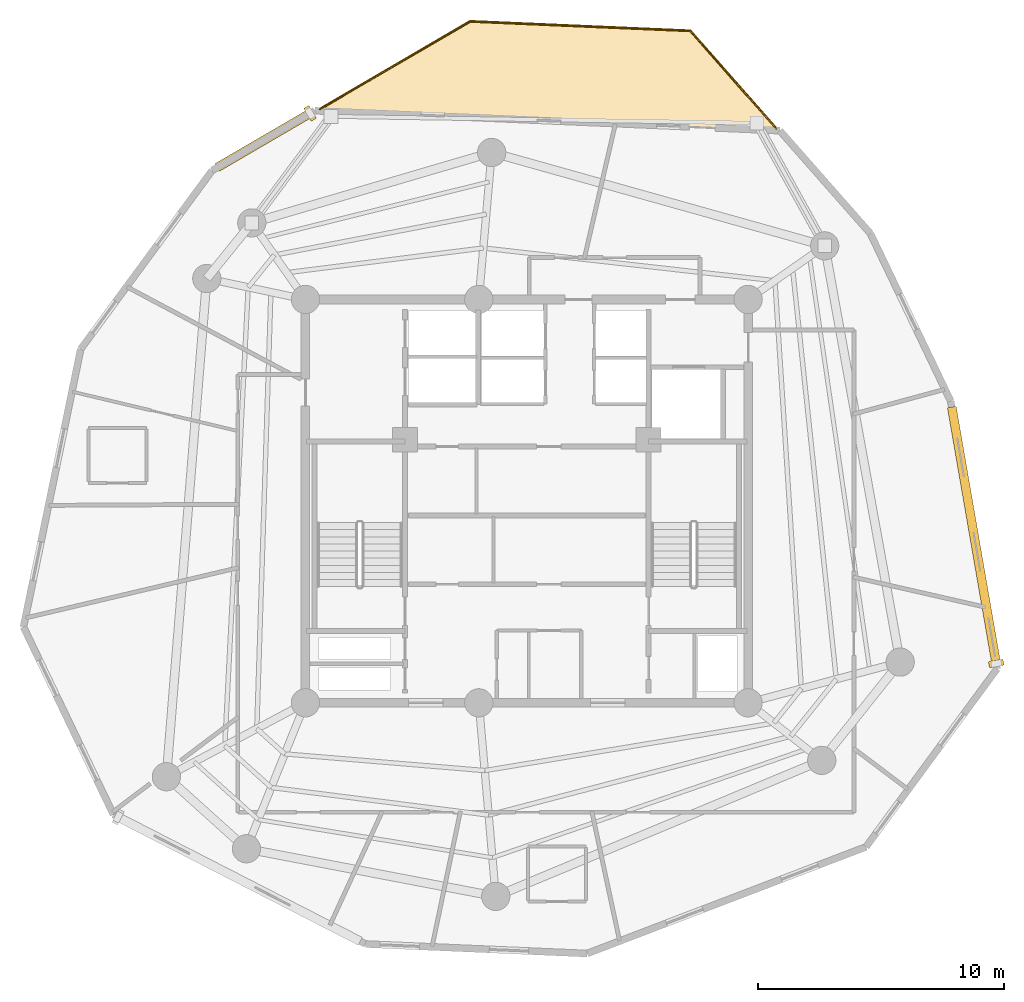
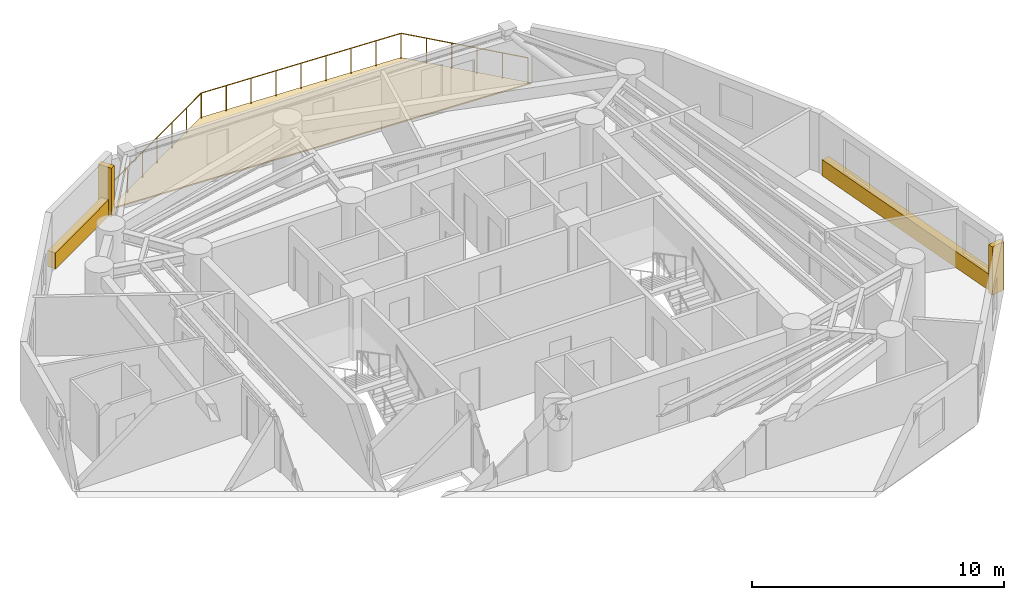
# One storey, part 8 of 8: 3 coverings, 3 railings, 2 shading devices.
"""IFC4 building model written with IfcOpenShell, lengths in metres."""

import ifcopenshell
import ifcopenshell.guid

model = None  # the IFC model being written
_history = None  # IfcOwnerHistory: only IFC2X3 demands one
_inside = {}  # id of a spatial element -> (the spatial element, [elements in it])
_under = {}  # id of a project, library or spatial element -> (it, [spatial elements below it])
_declared = {}  # id of a project -> (the project, [libraries it declares])
_typed = {}  # id of a type object -> (the type object, [elements of that type])
_made_of = {}  # id of a material, layer set ... -> (it, [elements and type objects made of it])


def new_model(schema):
    """Start an empty IFC model of exactly this schema.

    Asked for "IFC4X3", IfcOpenShell would pick the latest addendum, in which some entities
    have other attributes; the version numbers below select the first issue.
    IFC2X3 requires an IfcOwnerHistory on every rooted entity: one is made here for all.
    """
    global model, _history
    if schema == "IFC4X3":
        model = ifcopenshell.file(schema_version=(4, 3, 0, 0))
    else:
        model = ifcopenshell.file(schema=schema)
    _inside.clear()
    _under.clear()
    _declared.clear()
    _typed.clear()
    _made_of.clear()
    _history = None
    if model.schema == "IFC2X3":
        org = make("IfcOrganization", Name="unknown")
        user = make(
            "IfcPersonAndOrganization",
            ThePerson=make("IfcPerson", FamilyName="unknown"),
            TheOrganization=org,
        )
        app = make(
            "IfcApplication",
            ApplicationDeveloper=org,
            Version="unknown",
            ApplicationFullName="unknown",
            ApplicationIdentifier="unknown",
        )
        _history = make(
            "IfcOwnerHistory",
            OwningUser=user,
            OwningApplication=app,
            ChangeAction="ADDED",
            CreationDate=0,
        )
    return model


def make(cls, **values):
    """One entity of the class cls with the attributes given. An attribute that is None is left unset."""
    return model.create_entity(
        cls, **{name: value for name, value in values.items() if value is not None}
    )


def rooted(cls, **values):
    """An entity with a GlobalId (a new one), such as an element, a storey or a relation."""
    return make(cls, GlobalId=ifcopenshell.guid.new(), OwnerHistory=_history, **values)


def si_unit(unit_type, name, prefix=None):
    """IfcSIUnit, for example si_unit("LENGTHUNIT", "METRE", prefix="MILLI")."""
    return make("IfcSIUnit", UnitType=unit_type, Prefix=prefix, Name=name)


def assignment(units):
    """IfcUnitAssignment: the units of a project."""
    return None if units is None else make("IfcUnitAssignment", Units=units)


def point(xyz):
    """IfcCartesianPoint."""
    return None if xyz is None else make("IfcCartesianPoint", Coordinates=xyz)


def direction(xyz):
    """IfcDirection."""
    return None if xyz is None else make("IfcDirection", DirectionRatios=xyz)


def frame(location, z_axis=None, x_axis=None):
    """IfcAxis2Placement3D, a coordinate frame: its origin and axes. An axis left out is left unset."""
    return make(
        "IfcAxis2Placement3D",
        Location=point(location),
        Axis=direction(z_axis),
        RefDirection=direction(x_axis),
    )


def frame_2d(location, x_axis=None):
    """IfcAxis2Placement2D, a coordinate frame in the plane: its origin and x axis."""
    return make(
        "IfcAxis2Placement2D", Location=point(location), RefDirection=direction(x_axis)
    )


def origin():
    """The frame at (0, 0, 0) with its axes left unset."""
    return frame((0.0, 0.0, 0.0))


def origin_with_axes():
    """The frame at (0, 0, 0) with the z axis (0, 0, 1) and the x axis (1, 0, 0) written out."""
    return frame((0.0, 0.0, 0.0), z_axis=(0.0, 0.0, 1.0), x_axis=(1.0, 0.0, 0.0))


def origin_2d():
    """The frame at (0, 0) in the plane with its x axis left unset."""
    return frame_2d((0.0, 0.0))


def place(relative_to, where):
    """IfcLocalPlacement: puts the frame where relative to a parent placement (None: the world)."""
    return make(
        "IfcLocalPlacement", PlacementRelTo=relative_to, RelativePlacement=where
    )


def context(
    kind, dimensions, precision=None, world=None, true_north=None, identifier=None
):
    """IfcGeometricRepresentationContext, for example the 3D "Model" context."""
    return make(
        "IfcGeometricRepresentationContext",
        ContextIdentifier=identifier,
        ContextType=kind,
        CoordinateSpaceDimension=dimensions,
        Precision=precision,
        WorldCoordinateSystem=world,
        TrueNorth=true_north,
    )


def subcontext(parent, identifier, kind, view, scale=None):
    """IfcGeometricRepresentationSubContext, for example "Body" below "Model"."""
    return make(
        "IfcGeometricRepresentationSubContext",
        ContextIdentifier=identifier,
        ContextType=kind,
        ParentContext=parent,
        TargetScale=scale,
        TargetView=view,
    )


def project(units=None, contexts=None):
    """IfcProject with its units and contexts."""
    return rooted(
        "IfcProject",
        Name="project",
        RepresentationContexts=contexts,
        UnitsInContext=assignment(units),
    )


def spatial(cls, under=None, at=None, **own):
    """A site, building, storey or space (cls), placed at a placement, below another one or the project."""
    s = rooted(cls, ObjectPlacement=at, **own)
    if under is not None:
        _under.setdefault(under.id(), (under, []))[1].append(s)
    return s


def polyline(points):
    """IfcPolyline through the points."""
    return make("IfcPolyline", Points=[point(p) for p in points])


def profile(cls, at=None, kind="AREA", **sizes):
    """A parametric profile (cls). Its sizes go by their IFC names, for example OverallWidth=200.0."""
    return make(cls, ProfileType=kind, Position=at, **sizes)


def rectangle(**sizes):
    """IfcRectangleProfileDef."""
    return profile("IfcRectangleProfileDef", **sizes)


def circle(**sizes):
    """IfcCircleProfileDef."""
    return profile("IfcCircleProfileDef", **sizes)


def outline(outer, holes=None, kind="AREA"):
    """IfcArbitraryClosedProfileDef: a profile drawn as a closed curve; with holes, ...WithVoids."""
    if holes is None:
        return make("IfcArbitraryClosedProfileDef", ProfileType=kind, OuterCurve=outer)
    return make(
        "IfcArbitraryProfileDefWithVoids",
        ProfileType=kind,
        OuterCurve=outer,
        InnerCurves=holes,
    )


def extrude(swept, where, along, depth):
    """IfcExtrudedAreaSolid: the profile swept, set in the frame where, extruded along a direction by depth."""
    return make(
        "IfcExtrudedAreaSolid",
        SweptArea=swept,
        Position=where,
        ExtrudedDirection=direction(along),
        Depth=depth,
    )


def shape(context_of_items, identifier, shape_type, items):
    """IfcShapeRepresentation: the items that make up one representation, for example the "Body"."""
    return make(
        "IfcShapeRepresentation",
        ContextOfItems=context_of_items,
        RepresentationIdentifier=identifier,
        RepresentationType=shape_type,
        Items=items,
    )


def source(mapping_origin, context_of_items, identifier, shape_type, items):
    """IfcRepresentationMap: a shape defined once, which mapped items show again and again."""
    return make(
        "IfcRepresentationMap",
        MappingOrigin=mapping_origin,
        MappedRepresentation=shape(context_of_items, identifier, shape_type, items),
    )


def transform(
    local_origin,
    x_axis=None,
    y_axis=None,
    z_axis=None,
    scale=None,
    scale2=None,
    scale3=None,
    uniform=True,
):
    """IfcCartesianTransformationOperator3D, or its non-uniform kind. x_axis, y_axis, z_axis: its Axis1, 2, 3."""
    if uniform:
        return make(
            "IfcCartesianTransformationOperator3D",
            Axis1=direction(x_axis),
            Axis2=direction(y_axis),
            LocalOrigin=point(local_origin),
            Scale=scale,
            Axis3=direction(z_axis),
        )
    return make(
        "IfcCartesianTransformationOperator3DnonUniform",
        Axis1=direction(x_axis),
        Axis2=direction(y_axis),
        LocalOrigin=point(local_origin),
        Scale=scale,
        Axis3=direction(z_axis),
        Scale2=scale2,
        Scale3=scale3,
    )


def mapped(mapping_source, mapping_target):
    """IfcMappedItem: shows the shape of a source again, moved by a transform."""
    return make(
        "IfcMappedItem", MappingSource=mapping_source, MappingTarget=mapping_target
    )


def material(Name=None, Category=None):
    """IfcMaterial."""
    return make("IfcMaterial", Name=Name, Category=Category)


def layer(
    of_material, thickness, ventilated=None, Name=None, Category=None, Priority=None
):
    """IfcMaterialLayer: one layer of a wall or slab, of a material (None: an air gap)."""
    return make(
        "IfcMaterialLayer",
        Material=of_material,
        LayerThickness=thickness,
        IsVentilated=ventilated,
        Name=Name,
        Category=Category,
        Priority=Priority,
    )


def layer_set(layers, Name=None):
    """IfcMaterialLayerSet."""
    return make("IfcMaterialLayerSet", MaterialLayers=layers, LayerSetName=Name)


def made_of(thing, what):
    """Note that an element or type object is made of a material, layer set ...; save() writes the relation."""
    if what is not None:
        _made_of.setdefault(what.id(), (what, []))[1].append(thing)
    return thing


def type_object(cls, material=None, **own):
    """A type object (cls), such as IfcWallType, which elements share."""
    return made_of(rooted(cls, **own), material)


def element(
    cls,
    number,
    at=None,
    inside=None,
    cuts=None,
    type_object=None,
    material=None,
    context=None,
    identifier="Body",
    shape_type=None,
    held_by="IfcProductDefinitionShape",
    body=None,
    shapes=None,
    **own,
):
    """One element of the class cls, such as IfcWall. Its Tag is "e" and its number.

    at: its placement. inside: the storey or other place that contains it. cuts: it is an
    opening in that element (IfcRelVoidsElement). A single representation is given by context,
    identifier, shape_type and body (its items); several are given by shapes. held_by: the class
    of the entity that holds the representations. save() writes the other relations.
    """
    e = rooted(cls, Tag="e%d" % number, ObjectPlacement=at, **own)
    if body is not None:
        shapes = [shape(context, identifier, shape_type, body)]
    if shapes is not None:
        e.Representation = make(held_by, Representations=shapes)
    if inside is not None:
        _inside.setdefault(inside.id(), (inside, []))[1].append(e)
    if cuts is not None:
        rooted(
            "IfcRelVoidsElement", RelatingBuildingElement=cuts, RelatedOpeningElement=e
        )
    if type_object is not None:
        _typed.setdefault(type_object.id(), (type_object, []))[1].append(e)
    return made_of(e, material)


def aggregate(whole, parts):
    """IfcRelAggregates: a whole, such as a stair, and the parts it consists of."""
    return rooted("IfcRelAggregates", RelatingObject=whole, RelatedObjects=parts)


def save(model, path):
    """Write the relations noted so far, then the file.

    IfcRelAggregates (storeys below a building ...), IfcRelContainedInSpatialStructure (elements
    in a storey), IfcRelDefinesByType, IfcRelAssociatesMaterial and IfcRelDeclares: one each for
    every whole, place, type object, material and project.
    """
    for whole, parts in _under.values():
        aggregate(whole, parts)
    for where, things in _inside.values():
        rooted(
            "IfcRelContainedInSpatialStructure",
            RelatedElements=things,
            RelatingStructure=where,
        )
    for kind, things in _typed.values():
        rooted("IfcRelDefinesByType", RelatedObjects=things, RelatingType=kind)
    for what, things in _made_of.values():
        rooted("IfcRelAssociatesMaterial", RelatedObjects=things, RelatingMaterial=what)
    for by, libraries in _declared.values():
        rooted("IfcRelDeclares", RelatingContext=by, RelatedDefinitions=libraries)
    model.write(path)


model = new_model("IFC4")

# Units and contexts
model_context = context("Model", 3, precision=1e-05, world=origin(), true_north=direction((0.0, 1.0)))
body_context = subcontext(model_context, "Body", "Model", "MODEL_VIEW")
ifc_project = project(units=[si_unit("LENGTHUNIT", "METRE"), si_unit("AREAUNIT", "SQUARE_METRE"), si_unit("VOLUMEUNIT", "CUBIC_METRE"), si_unit("PLANEANGLEUNIT", "RADIAN"), si_unit("MASSUNIT", "GRAM", prefix="KILO")], contexts=[model_context])

# Site, building, storey
site_placement = place(None, origin())
site = spatial("IfcSite", under=ifc_project, at=site_placement, CompositionType="ELEMENT")
building_placement = place(site_placement, origin())
building = spatial("IfcBuilding", under=site, at=building_placement, Name="Karkom Vertical University and Central Library", CompositionType="ELEMENT")
storey_placement = place(building_placement, frame((0.0, 0.0, 250.449951171875)))
storey = spatial("IfcBuildingStorey", under=building, at=storey_placement, Name="L74", CompositionType="ELEMENT", Elevation=250.449951171875)

# Covering
ifc_material_1 = material(Name="EPDM membrane with Kota stone ballast roofing", Category="masonry")
ifc_layer_1 = layer(ifc_material_1, 0.080078125)
ifc_layer_set_1 = layer_set([ifc_layer_1], Name="EPDM membrane with Kota stone ballast roofing")
covering_type_1 = type_object("IfcCoveringType", Name="ENV-COV-ROOF", PredefinedType="ROOFING", material=ifc_layer_set_1)
covering_1_placement = place(storey_placement, origin())
element("IfcCovering", 1, at=covering_1_placement, inside=storey, type_object=covering_type_1, Name="Level 74 Spiral Sky Garden Waterproofing Covering", PredefinedType="ROOFING", context=body_context, shape_type="SweptSolid", body=[
    extrude(outline(polyline([(38.79052734375, 41.567138671875), (35.17138671875, 45.67626953125), (26.18603515625, 46.0625), (19.8779296875, 42.3798828125), (38.79052734375, 41.567138671875)])), origin(), (0.0, 0.0, 1.0), 0.06005859375),
])

# Railings
ifc_material_2 = material(Name="Architectural painted steel & laminated glass balustrade", Category="steel")
ifc_layer_2 = layer(ifc_material_2, 0.090087890625)
ifc_layer_set_2 = layer_set([ifc_layer_2], Name="Architectural painted steel & laminated glass balustrade")
railing_type = type_object("IfcRailingType", Name="ENV-RL-BAL1300", PredefinedType="BALUSTRADE", material=ifc_layer_set_2)
railing_1_placement = place(storey_placement, frame((20.084716796875, 42.43115234375, 0.0)))
element("IfcRailing", 2, at=railing_1_placement, inside=storey, type_object=railing_type, Name="Level 74 Planted Terrace Safety Balustrade 01", PredefinedType="BALUSTRADE", context=body_context, shape_type="SweptSolid", body=[
    extrude(circle(Radius=0.02392578125, at=origin_2d()), frame((0.0, 0.0, 1.27587890625), z_axis=(0.863617572318, 0.504147487133, 0.0), x_axis=(-0.504147487133, 0.863617572318, 0.0)), (0.0, 0.0, 1.0), 7.082275390625),
    extrude(circle(Radius=0.02099609375, at=origin_2d()), origin(), (0.0, 0.0, 1.0), 1.251953125),
    extrude(circle(Radius=0.02099609375, at=origin_2d()), frame((1.01953125, 0.59521484375, 0.0)), (0.0, 0.0, 1.0), 1.251953125),
    extrude(circle(Radius=0.02099609375, at=origin_2d()), frame((2.038818359375, 1.190185546875, 0.0)), (0.0, 0.0, 1.0), 1.251953125),
    extrude(circle(Radius=0.02099609375, at=origin_2d()), frame((3.05810546875, 1.78515625, 0.0)), (0.0, 0.0, 1.0), 1.251953125),
    extrude(circle(Radius=0.02099609375, at=origin_2d()), frame((4.07763671875, 2.38037109375, 0.0)), (0.0, 0.0, 1.0), 1.251953125),
    extrude(circle(Radius=0.02099609375, at=origin_2d()), frame((5.09716796875, 2.9755859375, 0.0)), (0.0, 0.0, 1.0), 1.251953125),
    extrude(circle(Radius=0.02099609375, at=origin_2d()), frame((6.116455078125, 3.570556640625, 0.0)), (0.0, 0.0, 1.0), 1.251953125),
])
railing_2_placement = place(storey_placement, frame((26.201171875, 46.001708984375, 0.0)))
element("IfcRailing", 3, at=railing_2_placement, inside=storey, type_object=railing_type, Name="Level 74 Planted Terrace Safety Balustrade 02", PredefinedType="BALUSTRADE", context=body_context, shape_type="SweptSolid", body=[
    extrude(circle(Radius=0.02392578125, at=origin_2d()), frame((0.0, 0.0, 1.27587890625), z_axis=(0.999077904826, -0.042934136626, 0.0), x_axis=(0.042934136626, 0.999077904826, 0.0)), (0.0, 0.0, 1.0), 8.950439453125),
    extrude(circle(Radius=0.02099609375, at=origin_2d()), origin(), (0.0, 0.0, 1.0), 1.251953125),
    extrude(circle(Radius=0.02099609375, at=origin_2d()), frame((1.11767578125, -0.048095703125, 0.0)), (0.0, 0.0, 1.0), 1.251953125),
    extrude(circle(Radius=0.02099609375, at=origin_2d()), frame((2.235595703125, -0.09619140625, 0.0)), (0.0, 0.0, 1.0), 1.251953125),
    extrude(circle(Radius=0.02099609375, at=origin_2d()), frame((3.353271484375, -0.14404296875, 0.0)), (0.0, 0.0, 1.0), 1.251953125),
    extrude(circle(Radius=0.02099609375, at=origin_2d()), frame((4.47119140625, -0.192138671875, 0.0)), (0.0, 0.0, 1.0), 1.251953125),
    extrude(circle(Radius=0.02099609375, at=origin_2d()), frame((5.5888671875, -0.240234375, 0.0)), (0.0, 0.0, 1.0), 1.251953125),
    extrude(circle(Radius=0.02099609375, at=origin_2d()), frame((6.70654296875, -0.2880859375, 0.0)), (0.0, 0.0, 1.0), 1.251953125),
    extrude(circle(Radius=0.02099609375, at=origin_2d()), frame((7.824462890625, -0.336181640625, 0.0)), (0.0, 0.0, 1.0), 1.251953125),
    extrude(circle(Radius=0.02099609375, at=origin_2d()), frame((8.942138671875, -0.38427734375, 0.0)), (0.0, 0.0, 1.0), 1.251953125),
])
railing_3_placement = place(storey_placement, frame((35.143310546875, 45.617431640625, 0.0)))
element("IfcRailing", 4, at=railing_3_placement, inside=storey, type_object=railing_type, Name="Level 74 Planted Terrace Safety Balustrade 03", PredefinedType="BALUSTRADE", context=body_context, shape_type="SweptSolid", body=[
    extrude(circle(Radius=0.02392578125, at=origin_2d()), frame((0.0, 0.0, 1.27587890625), z_axis=(0.660923275334, -0.750453478985, 0.0), x_axis=(0.750453478985, 0.660923275334, 0.0)), (0.0, 0.0, 1.0), 5.309326171875),
    extrude(circle(Radius=0.02099609375, at=origin_2d()), origin(), (0.0, 0.0, 1.0), 1.251953125),
    extrude(circle(Radius=0.02099609375, at=origin_2d()), frame((0.701904296875, -0.796875, 0.0)), (0.0, 0.0, 1.0), 1.251953125),
    extrude(circle(Radius=0.02099609375, at=origin_2d()), frame((1.403564453125, -1.59375, 0.0)), (0.0, 0.0, 1.0), 1.251953125),
    extrude(circle(Radius=0.02099609375, at=origin_2d()), frame((2.10546875, -2.390625, 0.0)), (0.0, 0.0, 1.0), 1.251953125),
    extrude(circle(Radius=0.02099609375, at=origin_2d()), frame((2.80712890625, -3.1875, 0.0)), (0.0, 0.0, 1.0), 1.251953125),
    extrude(circle(Radius=0.02099609375, at=origin_2d()), frame((3.509033203125, -3.984375, 0.0)), (0.0, 0.0, 1.0), 1.251953125),
])

# Shading devices
ifc_material_3 = material(Name="Terracotta-clad precast concrete sun-breaker fin C45/55", Category="masonry")
shading_device_type = type_object("IfcShadingDeviceType", Name="ENV-SHD-BRISE", PredefinedType="USERDEFINED", material=ifc_material_3)
shared_shape_1 = source(origin_with_axes(), body_context, "Body", "SweptSolid", [
    extrude(rectangle(XDim=0.239990234375, YDim=0.60009765625, at=origin_2d()), origin(), (0.0, 0.0, 1.0), 2.35009765625),
])
for number, where, z_axis, x_axis, name in (
    (5, (47.58740234375, 19.89990234375, 0.0), (0.0, 0.0, 1.0), (-0.17072543418, 0.985318641925, 0.0), "Level 74 Brutalist Brise-Soleil Fin 05"),
    (6, (19.68798828125, 42.26904296875, 0.0), (0.0, 0.0, 1.0), (-0.863659602288, -0.504075481823, 0.0), "Level 74 Brutalist Brise-Soleil Fin 09"),
):
    element("IfcShadingDevice", number, at=place(storey_placement, frame(where, z_axis=z_axis, x_axis=x_axis)), inside=storey, type_object=shading_device_type, Name=name, ObjectType="BRISE SOLEIL", PredefinedType="USERDEFINED", context=body_context, shape_type="MappedRepresentation", body=[
        mapped(shared_shape_1, transform((0.0, 0.0, 0.0), scale=1.0)),
    ])

# Coverings
ifc_material_4 = material(Name="Hand-pressed red-ochre terracotta brick slip cladding", Category="masonry")
ifc_layer_3 = layer(ifc_material_4, 0.090087890625)
ifc_layer_set_3 = layer_set([ifc_layer_3], Name="Hand-pressed red-ochre terracotta brick slip cladding")
covering_type_2 = type_object("IfcCoveringType", Name="ENV-COV-CLAD", PredefinedType="CLADDING", material=ifc_layer_set_3)
shared_shape_2 = source(origin_with_axes(), body_context, "Body", "SweptSolid", [
    extrude(rectangle(XDim=10.550048828125, YDim=0.360107421875, at=origin_2d()), origin(), (0.0, 0.0, 1.0), 0.780029296875),
])
covering_2_placement = place(storey_placement, frame((46.68212890625, 25.127197265625, 0.0), z_axis=(0.0, 0.0, 1.0), x_axis=(-0.17072543418, 0.985318641925, 0.0)))
element("IfcCovering", 7, at=covering_2_placement, inside=storey, type_object=covering_type_2, Name="Level 74 Terracotta Spandrel Cladding 05", PredefinedType="CLADDING", context=body_context, shape_type="MappedRepresentation", body=[
    mapped(shared_shape_2, transform((0.0, 0.0, 0.0), scale=1.0)),
])
shared_shape_3 = source(origin_with_axes(), body_context, "Body", "SweptSolid", [
    extrude(rectangle(XDim=4.337890625, YDim=0.360107421875, at=origin_2d()), origin(), (0.0, 0.0, 1.0), 0.780029296875),
])
covering_3_placement = place(storey_placement, frame((17.788818359375, 41.16064453125, 0.0), z_axis=(0.0, 0.0, 1.0), x_axis=(-0.863659602288, -0.504075481823, 0.0)))
element("IfcCovering", 8, at=covering_3_placement, inside=storey, type_object=covering_type_2, Name="Level 74 Terracotta Spandrel Cladding 09", PredefinedType="CLADDING", context=body_context, shape_type="MappedRepresentation", body=[
    mapped(shared_shape_3, transform((0.0, 0.0, 0.0), scale=1.0)),
])

save(model, "model.ifc")
